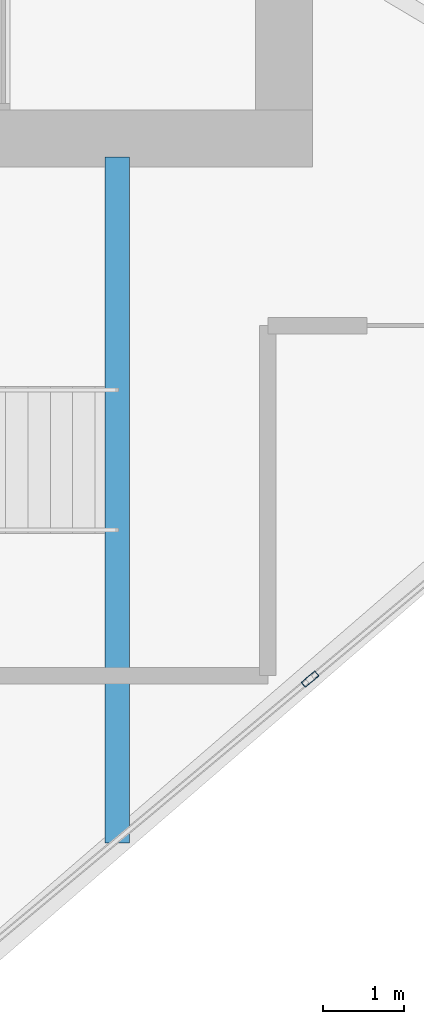
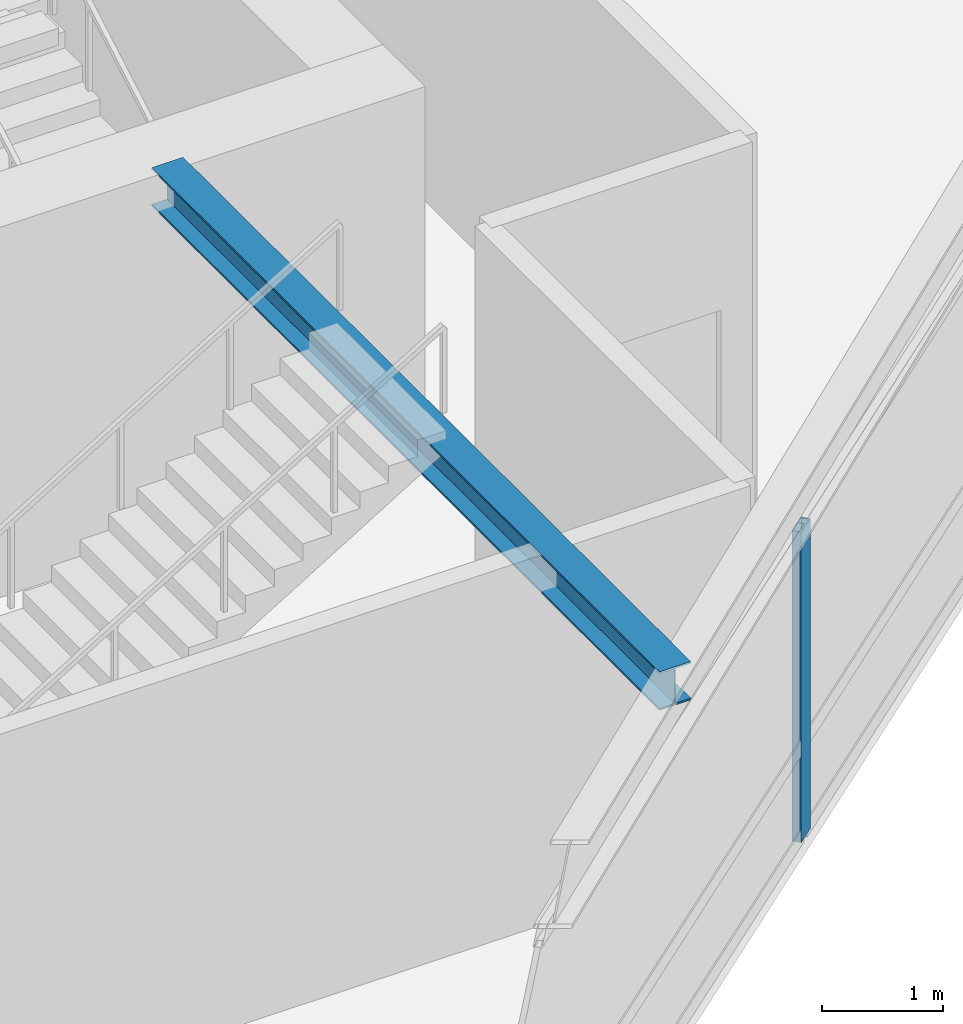
# One storey, part 5 of 16: 1 beam, 1 member, 1 element without a shape of its own.
"""IFC4 building model written with IfcOpenShell, lengths in metres."""

from ifc_helpers import new_model, si_unit, direction, frame, origin, origin_2d, place, context, subcontext, project, spatial, hollow_rectangle, i_section, extrude, source, transform, mapped, material, material_profile, profile_set, type_object, element, aggregate, save


model = new_model("IFC4")

# Units and contexts
model_context = context("Model", 3, precision=1e-05, world=origin(), true_north=direction((0.0, 1.0)))
body_context = subcontext(model_context, "Body", "Model", "MODEL_VIEW")
ifc_project = project(units=[si_unit("LENGTHUNIT", "METRE"), si_unit("AREAUNIT", "SQUARE_METRE"), si_unit("VOLUMEUNIT", "CUBIC_METRE"), si_unit("PLANEANGLEUNIT", "RADIAN"), si_unit("MASSUNIT", "GRAM", prefix="KILO")], contexts=[model_context])

# Site, building, storey
site_placement = place(None, origin())
site = spatial("IfcSite", under=ifc_project, at=site_placement, CompositionType="ELEMENT")
building_placement = place(site_placement, origin())
building = spatial("IfcBuilding", under=site, at=building_placement, Name="Olszyna Solenne Hotel", CompositionType="ELEMENT")
storey_placement = place(building_placement, frame((0.0, 0.0, 134.10009765625)))
storey = spatial("IfcBuildingStorey", under=building, at=storey_placement, Name="L35", CompositionType="ELEMENT", Elevation=134.10009765625)

# Beam
ifc_material_1 = material(Name="Steel S355J2", Category="steel")
ifc_material_profile_1 = material_profile(ifc_material_1, i_section(OverallWidth=0.300048828125, OverallDepth=0.389892578125, WebThickness=0.010986328125, FlangeThickness=0.01904296875, at=origin_2d()), Name="HEA 400", Category="load-bearing")
ifc_profile_set_1 = profile_set([ifc_material_profile_1], Name="Steel S355J2")
beam_type = type_object("IfcBeamType", Name="BM-G2", PredefinedType="BEAM", material=ifc_profile_set_1)
shared_shape_1 = source(origin(), body_context, "Body", "SweptSolid", [
    extrude(i_section(OverallWidth=0.300048828125, OverallDepth=0.389892578125, WebThickness=0.010986328125, FlangeThickness=0.01904296875, at=origin_2d()), origin(), (0.0, 0.0, 1.0), 8.42333984375),
])
beam_placement = place(storey_placement, frame((44.199951171875, 10.49658203125, 3.554931640625), z_axis=(0.0, 1.0, 0.0), x_axis=(-1.0, 0.0, 0.0)))
element("IfcBeam", 1, at=beam_placement, inside=storey, type_object=beam_type, Name="Feature stair East arrival girder BM-G2 B-L35-1066", PredefinedType="BEAM", context=body_context, shape_type="MappedRepresentation", body=[
    mapped(shared_shape_1, transform((0.0, 0.0, 0.0), x_axis=(1.0, 0.0, 0.0), y_axis=(0.0, 1.0, 0.0), z_axis=(0.0, 0.0, 1.0), scale=1.0)),
])

# Curtain wall, member
ifc_material_2 = material(Name="Anodised bronze aluminium", Category="aluminium")
curtain_wall_type = type_object("IfcCurtainWallType", Name="CW-SYS-6", PredefinedType="NOTDEFINED", material=ifc_material_2)
curtain_wall_placement = place(storey_placement, origin())
curtain_wall = element("IfcCurtainWall", 2, at=curtain_wall_placement, inside=storey, type_object=curtain_wall_type, Name="Unitised curtain wall CW-SYS-6 CW-L35-01", PredefinedType="NOTDEFINED")
ifc_material_profile_2 = material_profile(ifc_material_2, hollow_rectangle(XDim=0.080078125, YDim=0.219970703125, WallThickness=0.0048828125, at=origin_2d()), Name="MULL 220x80x5", Category="load-bearing")
ifc_profile_set_2 = profile_set([ifc_material_profile_2], Name="Anodised bronze aluminium")
member_type = type_object("IfcMemberType", Name="CW-M1", PredefinedType="MULLION", material=ifc_profile_set_2)
shared_shape_2 = source(origin(), body_context, "Body", "SweptSolid", [
    extrude(hollow_rectangle(XDim=0.080078125, YDim=0.219970703125, WallThickness=0.0048828125, at=origin_2d()), origin(), (0.0, 0.0, 1.0), 3.141845703125),
])
member_placement = place(storey_placement, frame((46.568359375, 12.507568359375, 0.0), z_axis=(0.0, 0.0, 1.0), x_axis=(-0.640340265609, 0.768091364513, 0.0)))
member = element("IfcMember", 3, at=member_placement, type_object=member_type, Name="Curtain-wall mullion CW-M1 CM-L35-01-03", PredefinedType="MULLION", context=body_context, shape_type="MappedRepresentation", body=[
    mapped(shared_shape_2, transform((0.0, 0.0, 0.0), x_axis=(1.0, 0.0, 0.0), y_axis=(0.0, 1.0, 0.0), z_axis=(0.0, 0.0, 1.0), scale=1.0)),
])
aggregate(curtain_wall, [member])

save(model, "model.ifc")
